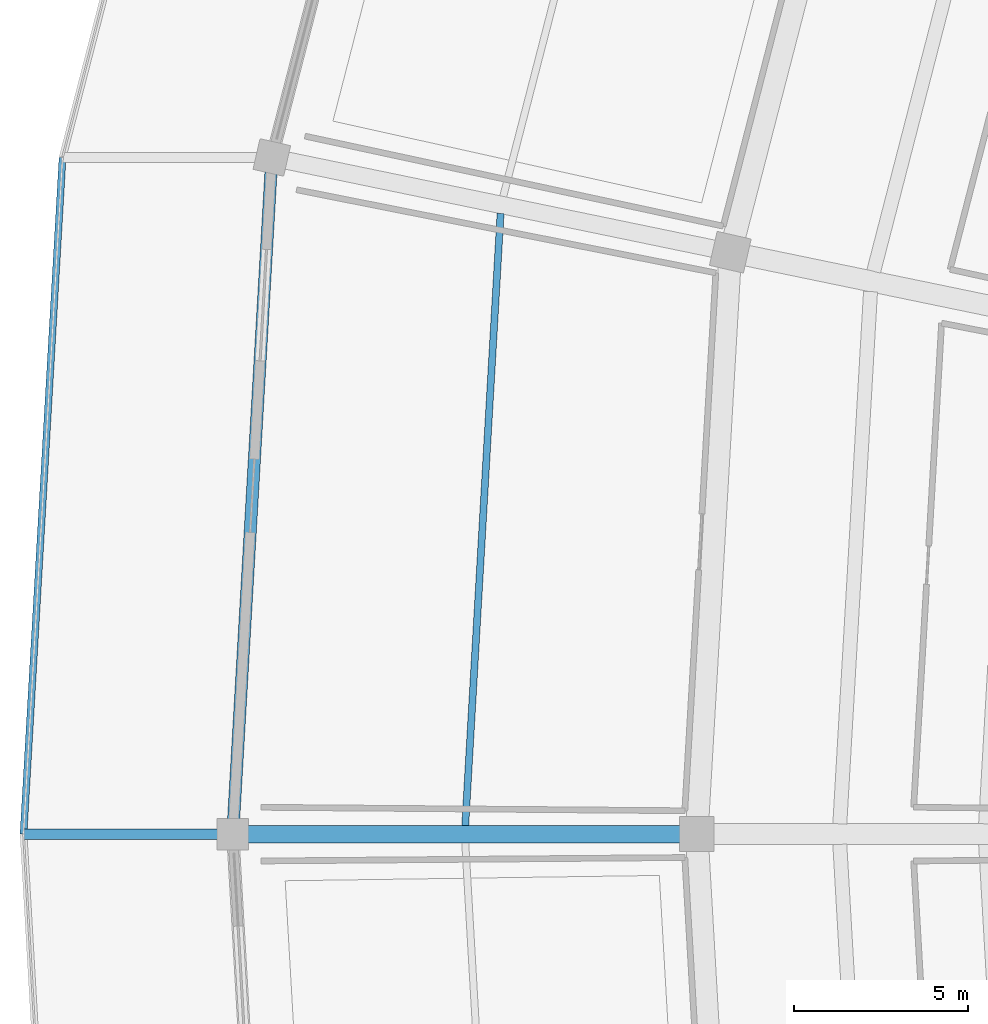
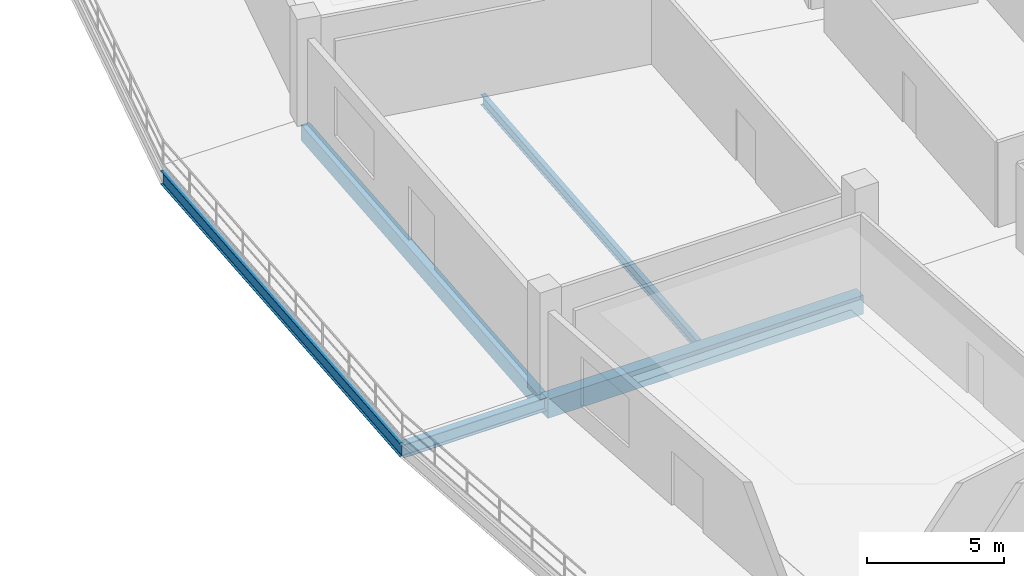
# One storey, part 35 of 171: 5 beams.
"""IFC4 building model written with IfcOpenShell, lengths in metres."""

import ifcopenshell
import ifcopenshell.guid

model = None  # the IFC model being written
_history = None  # IfcOwnerHistory: only IFC2X3 demands one
_inside = {}  # id of a spatial element -> (the spatial element, [elements in it])
_under = {}  # id of a project, library or spatial element -> (it, [spatial elements below it])
_declared = {}  # id of a project -> (the project, [libraries it declares])
_typed = {}  # id of a type object -> (the type object, [elements of that type])
_made_of = {}  # id of a material, layer set ... -> (it, [elements and type objects made of it])


def new_model(schema):
    """Start an empty IFC model of exactly this schema.

    Asked for "IFC4X3", IfcOpenShell would pick the latest addendum, in which some entities
    have other attributes; the version numbers below select the first issue.
    IFC2X3 requires an IfcOwnerHistory on every rooted entity: one is made here for all.
    """
    global model, _history
    if schema == "IFC4X3":
        model = ifcopenshell.file(schema_version=(4, 3, 0, 0))
    else:
        model = ifcopenshell.file(schema=schema)
    _inside.clear()
    _under.clear()
    _declared.clear()
    _typed.clear()
    _made_of.clear()
    _history = None
    if model.schema == "IFC2X3":
        org = make("IfcOrganization", Name="unknown")
        user = make(
            "IfcPersonAndOrganization",
            ThePerson=make("IfcPerson", FamilyName="unknown"),
            TheOrganization=org,
        )
        app = make(
            "IfcApplication",
            ApplicationDeveloper=org,
            Version="unknown",
            ApplicationFullName="unknown",
            ApplicationIdentifier="unknown",
        )
        _history = make(
            "IfcOwnerHistory",
            OwningUser=user,
            OwningApplication=app,
            ChangeAction="ADDED",
            CreationDate=0,
        )
    return model


def make(cls, **values):
    """One entity of the class cls with the attributes given. An attribute that is None is left unset."""
    return model.create_entity(
        cls, **{name: value for name, value in values.items() if value is not None}
    )


def rooted(cls, **values):
    """An entity with a GlobalId (a new one), such as an element, a storey or a relation."""
    return make(cls, GlobalId=ifcopenshell.guid.new(), OwnerHistory=_history, **values)


def si_unit(unit_type, name, prefix=None):
    """IfcSIUnit, for example si_unit("LENGTHUNIT", "METRE", prefix="MILLI")."""
    return make("IfcSIUnit", UnitType=unit_type, Prefix=prefix, Name=name)


def assignment(units):
    """IfcUnitAssignment: the units of a project."""
    return None if units is None else make("IfcUnitAssignment", Units=units)


def point(xyz):
    """IfcCartesianPoint."""
    return None if xyz is None else make("IfcCartesianPoint", Coordinates=xyz)


def direction(xyz):
    """IfcDirection."""
    return None if xyz is None else make("IfcDirection", DirectionRatios=xyz)


def frame(location, z_axis=None, x_axis=None):
    """IfcAxis2Placement3D, a coordinate frame: its origin and axes. An axis left out is left unset."""
    return make(
        "IfcAxis2Placement3D",
        Location=point(location),
        Axis=direction(z_axis),
        RefDirection=direction(x_axis),
    )


def frame_2d(location, x_axis=None):
    """IfcAxis2Placement2D, a coordinate frame in the plane: its origin and x axis."""
    return make(
        "IfcAxis2Placement2D", Location=point(location), RefDirection=direction(x_axis)
    )


def origin():
    """The frame at (0, 0, 0) with its axes left unset."""
    return frame((0.0, 0.0, 0.0))


def origin_2d():
    """The frame at (0, 0) in the plane with its x axis left unset."""
    return frame_2d((0.0, 0.0))


def place(relative_to, where):
    """IfcLocalPlacement: puts the frame where relative to a parent placement (None: the world)."""
    return make(
        "IfcLocalPlacement", PlacementRelTo=relative_to, RelativePlacement=where
    )


def context(
    kind, dimensions, precision=None, world=None, true_north=None, identifier=None
):
    """IfcGeometricRepresentationContext, for example the 3D "Model" context."""
    return make(
        "IfcGeometricRepresentationContext",
        ContextIdentifier=identifier,
        ContextType=kind,
        CoordinateSpaceDimension=dimensions,
        Precision=precision,
        WorldCoordinateSystem=world,
        TrueNorth=true_north,
    )


def subcontext(parent, identifier, kind, view, scale=None):
    """IfcGeometricRepresentationSubContext, for example "Body" below "Model"."""
    return make(
        "IfcGeometricRepresentationSubContext",
        ContextIdentifier=identifier,
        ContextType=kind,
        ParentContext=parent,
        TargetScale=scale,
        TargetView=view,
    )


def project(units=None, contexts=None):
    """IfcProject with its units and contexts."""
    return rooted(
        "IfcProject",
        Name="project",
        RepresentationContexts=contexts,
        UnitsInContext=assignment(units),
    )


def spatial(cls, under=None, at=None, **own):
    """A site, building, storey or space (cls), placed at a placement, below another one or the project."""
    s = rooted(cls, ObjectPlacement=at, **own)
    if under is not None:
        _under.setdefault(under.id(), (under, []))[1].append(s)
    return s


def profile(cls, at=None, kind="AREA", **sizes):
    """A parametric profile (cls). Its sizes go by their IFC names, for example OverallWidth=200.0."""
    return make(cls, ProfileType=kind, Position=at, **sizes)


def rectangle(**sizes):
    """IfcRectangleProfileDef."""
    return profile("IfcRectangleProfileDef", **sizes)


def i_section(**sizes):
    """IfcIShapeProfileDef."""
    return profile("IfcIShapeProfileDef", **sizes)


def extrude(swept, where, along, depth):
    """IfcExtrudedAreaSolid: the profile swept, set in the frame where, extruded along a direction by depth."""
    return make(
        "IfcExtrudedAreaSolid",
        SweptArea=swept,
        Position=where,
        ExtrudedDirection=direction(along),
        Depth=depth,
    )


def shape(context_of_items, identifier, shape_type, items):
    """IfcShapeRepresentation: the items that make up one representation, for example the "Body"."""
    return make(
        "IfcShapeRepresentation",
        ContextOfItems=context_of_items,
        RepresentationIdentifier=identifier,
        RepresentationType=shape_type,
        Items=items,
    )


def material(Name=None, Category=None):
    """IfcMaterial."""
    return make("IfcMaterial", Name=Name, Category=Category)


def material_profile(
    of_material, cross_section, Name=None, Category=None, Priority=None
):
    """IfcMaterialProfile: a cross section and its material."""
    return make(
        "IfcMaterialProfile",
        Name=Name,
        Material=of_material,
        Profile=cross_section,
        Priority=Priority,
        Category=Category,
    )


def profile_set(profiles, Name=None, composite=None):
    """IfcMaterialProfileSet."""
    return make(
        "IfcMaterialProfileSet",
        Name=Name,
        MaterialProfiles=profiles,
        CompositeProfile=composite,
    )


def made_of(thing, what):
    """Note that an element or type object is made of a material, layer set ...; save() writes the relation."""
    if what is not None:
        _made_of.setdefault(what.id(), (what, []))[1].append(thing)
    return thing


def type_object(cls, material=None, **own):
    """A type object (cls), such as IfcWallType, which elements share."""
    return made_of(rooted(cls, **own), material)


def element(
    cls,
    number,
    at=None,
    inside=None,
    cuts=None,
    type_object=None,
    material=None,
    context=None,
    identifier="Body",
    shape_type=None,
    held_by="IfcProductDefinitionShape",
    body=None,
    shapes=None,
    **own,
):
    """One element of the class cls, such as IfcWall. Its Tag is "e" and its number.

    at: its placement. inside: the storey or other place that contains it. cuts: it is an
    opening in that element (IfcRelVoidsElement). A single representation is given by context,
    identifier, shape_type and body (its items); several are given by shapes. held_by: the class
    of the entity that holds the representations. save() writes the other relations.
    """
    e = rooted(cls, Tag="e%d" % number, ObjectPlacement=at, **own)
    if body is not None:
        shapes = [shape(context, identifier, shape_type, body)]
    if shapes is not None:
        e.Representation = make(held_by, Representations=shapes)
    if inside is not None:
        _inside.setdefault(inside.id(), (inside, []))[1].append(e)
    if cuts is not None:
        rooted(
            "IfcRelVoidsElement", RelatingBuildingElement=cuts, RelatedOpeningElement=e
        )
    if type_object is not None:
        _typed.setdefault(type_object.id(), (type_object, []))[1].append(e)
    return made_of(e, material)


def aggregate(whole, parts):
    """IfcRelAggregates: a whole, such as a stair, and the parts it consists of."""
    return rooted("IfcRelAggregates", RelatingObject=whole, RelatedObjects=parts)


def save(model, path):
    """Write the relations noted so far, then the file.

    IfcRelAggregates (storeys below a building ...), IfcRelContainedInSpatialStructure (elements
    in a storey), IfcRelDefinesByType, IfcRelAssociatesMaterial and IfcRelDeclares: one each for
    every whole, place, type object, material and project.
    """
    for whole, parts in _under.values():
        aggregate(whole, parts)
    for where, things in _inside.values():
        rooted(
            "IfcRelContainedInSpatialStructure",
            RelatedElements=things,
            RelatingStructure=where,
        )
    for kind, things in _typed.values():
        rooted("IfcRelDefinesByType", RelatedObjects=things, RelatingType=kind)
    for what, things in _made_of.values():
        rooted("IfcRelAssociatesMaterial", RelatedObjects=things, RelatingMaterial=what)
    for by, libraries in _declared.values():
        rooted("IfcRelDeclares", RelatingContext=by, RelatedDefinitions=libraries)
    model.write(path)


model = new_model("IFC4")

# Units and contexts
model_context = context("Model", 3, precision=1e-05, world=origin(), true_north=direction((0.0, 1.0)))
body_context = subcontext(model_context, "Body", "Model", "MODEL_VIEW")
ifc_project = project(units=[si_unit("LENGTHUNIT", "METRE"), si_unit("AREAUNIT", "SQUARE_METRE"), si_unit("VOLUMEUNIT", "CUBIC_METRE"), si_unit("PLANEANGLEUNIT", "RADIAN"), si_unit("MASSUNIT", "GRAM", prefix="KILO")], contexts=[model_context])

# Site, building, storey
site_placement = place(None, origin())
site = spatial("IfcSite", under=ifc_project, at=site_placement, CompositionType="ELEMENT")
building_placement = place(site_placement, origin())
building = spatial("IfcBuilding", under=site, at=building_placement, Name="Kazemori Nagisa Stadium", CompositionType="ELEMENT")
storey_placement = place(building_placement, frame((0.0, 0.0, 15.639892578125)))
storey = spatial("IfcBuildingStorey", under=building, at=storey_placement, Name="L03", CompositionType="ELEMENT", Elevation=15.639892578125)

# Beams
ifc_material_1 = material(Name="Steel SN490B", Category="steel")
ifc_material_profile_1 = material_profile(ifc_material_1, i_section(OverallWidth=0.300048828125, OverallDepth=0.587890625, WebThickness=0.011962890625, FlangeThickness=0.02001953125, FilletRadius=0.012939453125, at=origin_2d()), Name="H-588x300x12x20")
ifc_profile_set_1 = profile_set([ifc_material_profile_1], Name="Steel SN490B")
beam_type_1 = type_object("IfcBeamType", Name="Beam_BG-H588", PredefinedType="BEAM", material=ifc_profile_set_1)
beam_1_placement = place(storey_placement, frame((28.0, 102.0, -0.533935546875), z_axis=(-1.0, 0.0, 0.0), x_axis=(0.0, -1.0, 0.0)))
element("IfcBeam", 1, at=beam_1_placement, inside=storey, type_object=beam_type_1, Name="Boulevard radial girder BG-H588 L03 R4-15", PredefinedType="BEAM", context=body_context, shape_type="SweptSolid", body=[
    extrude(i_section(OverallWidth=0.300048828125, OverallDepth=0.587890625, WebThickness=0.011962890625, FlangeThickness=0.02001953125, FilletRadius=0.012939453125, at=origin_2d()), origin(), (0.0, 0.0, 1.0), 6.0),
])
ifc_material_2 = material(Name="Concrete C40/50 (Fc42)", Category="concrete")
ifc_material_profile_2 = material_profile(ifc_material_2, rectangle(XDim=0.5, YDim=0.85009765625, at=origin_2d()), Name="RC-BM-500x850")
ifc_profile_set_2 = profile_set([ifc_material_profile_2], Name="Concrete C40/50 (Fc42)")
beam_type_2 = type_object("IfcBeamType", Name="Beam_BG-RC500X850", PredefinedType="BEAM", material=ifc_profile_set_2)
beam_2_placement = place(storey_placement, frame((41.300048828125, 102.0, -0.684814453125), z_axis=(-1.0, 0.0, 0.0), x_axis=(0.0, -1.0, 0.0)))
element("IfcBeam", 2, at=beam_2_placement, inside=storey, type_object=beam_type_2, Name="Radial girder BG-RC500X850 L03 R2-R3-15", PredefinedType="BEAM", context=body_context, shape_type="SweptSolid", body=[
    extrude(rectangle(XDim=0.5, YDim=0.85009765625, at=origin_2d()), origin(), (0.0, 0.0, 1.0), 13.300048828125),
])
ifc_material_profile_3 = material_profile(ifc_material_1, i_section(OverallWidth=0.199951171875, OverallDepth=0.449951171875, WebThickness=0.009033203125, FlangeThickness=0.013916015625, FilletRadius=0.012939453125, at=origin_2d()), Name="H-450x200x9x14")
ifc_profile_set_3 = profile_set([ifc_material_profile_3], Name="Steel SN490B")
beam_type_3 = type_object("IfcBeamType", Name="Beam_BJ-H450", PredefinedType="JOIST", material=ifc_profile_set_3)
beam_3_placement = place(storey_placement, frame((35.6767578125, 119.795166015625, -0.48486328125), z_axis=(-0.057605851522, -0.998339404146, 0.0), x_axis=(0.998339404146, -0.057605851522, 0.0)))
element("IfcBeam", 3, at=beam_3_placement, inside=storey, type_object=beam_type_3, Name="Outer bay joist BJ-H450 L03 B14", PredefinedType="JOIST", context=body_context, shape_type="SweptSolid", body=[
    extrude(i_section(OverallWidth=0.199951171875, OverallDepth=0.449951171875, WebThickness=0.009033203125, FlangeThickness=0.013916015625, FilletRadius=0.012939453125, at=origin_2d()), origin(), (0.0, 0.0, 1.0), 17.579833984375),
])
ifc_material_profile_4 = material_profile(ifc_material_1, i_section(OverallWidth=0.199951171875, OverallDepth=0.60009765625, WebThickness=0.010986328125, FlangeThickness=0.01708984375, FilletRadius=0.012939453125, at=origin_2d()), Name="H-600x200x11x17")
ifc_profile_set_4 = profile_set([ifc_material_profile_4], Name="Steel SN490B")
beam_type_4 = type_object("IfcBeamType", Name="Beam_BS-H600", PredefinedType="SPANDREL", material=ifc_profile_set_4)
beam_4_placement = place(storey_placement, frame((23.119140625, 121.397705078125, -0.533935546875), z_axis=(-0.057598702622, -0.998339816624, 0.0), x_axis=(0.998339816624, -0.057598702622, 0.0)))
element("IfcBeam", 4, at=beam_4_placement, inside=storey, type_object=beam_type_4, Name="Boulevard edge beam BS-H600 L03 R4-14", PredefinedType="SPANDREL", context=body_context, shape_type="SweptSolid", body=[
    extrude(i_section(OverallWidth=0.199951171875, OverallDepth=0.60009765625, WebThickness=0.010986328125, FlangeThickness=0.01708984375, FilletRadius=0.012939453125, at=origin_2d()), origin(), (0.0, 0.0, 1.0), 19.429931640625),
])
ifc_material_profile_5 = material_profile(ifc_material_2, rectangle(XDim=0.35009765625, YDim=0.699951171875, at=origin_2d()), Name="RC-SP-350x700")
ifc_profile_set_5 = profile_set([ifc_material_profile_5], Name="Concrete C40/50 (Fc42)")
beam_type_5 = type_object("IfcBeamType", Name="Beam_BS-RC350X700", PredefinedType="SPANDREL", material=ifc_profile_set_5)
beam_5_placement = place(storey_placement, frame((29.119140625, 121.397705078125, -0.60986328125), z_axis=(-0.057598702622, -0.998339816624, 0.0), x_axis=(0.998339816624, -0.057598702622, 0.0)))
element("IfcBeam", 5, at=beam_5_placement, inside=storey, type_object=beam_type_5, Name="Ring girder BS-RC350X700 L03 R3-14", PredefinedType="SPANDREL", context=body_context, shape_type="SweptSolid", body=[
    extrude(rectangle(XDim=0.35009765625, YDim=0.699951171875, at=origin_2d()), origin(), (0.0, 0.0, 1.0), 19.429931640625),
])

save(model, "model.ifc")
